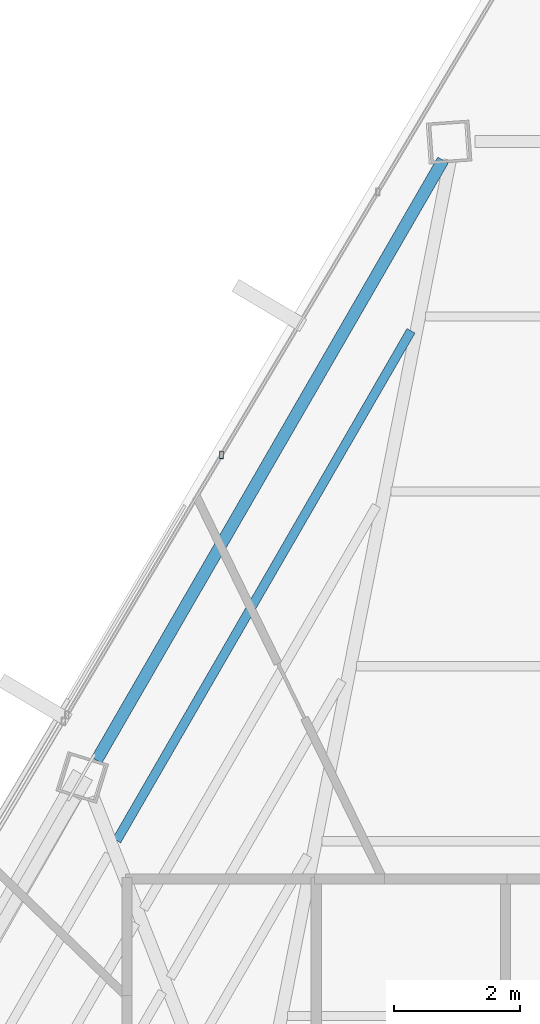
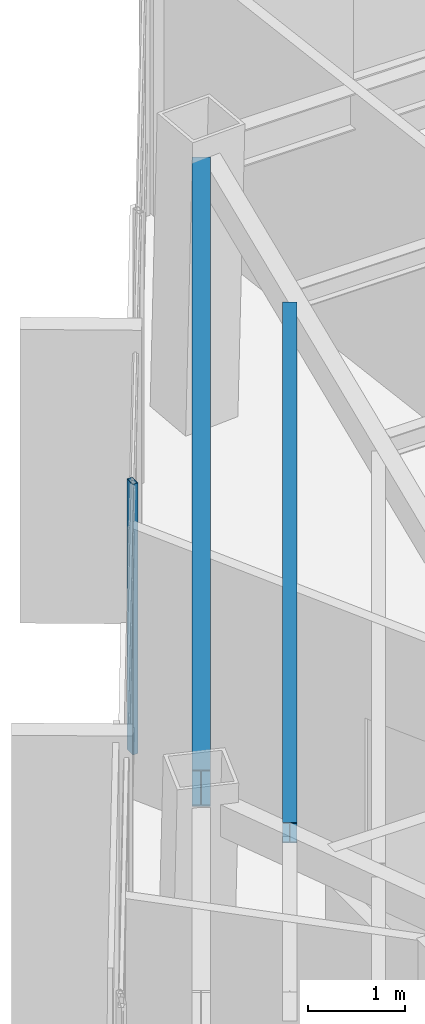
# One storey, part 31 of 46: 2 beams, 1 member, 1 element without a shape of its own.
"""IFC4 building model written with IfcOpenShell, lengths in metres."""

import ifcopenshell
import ifcopenshell.guid

model = None  # the IFC model being written
_history = None  # IfcOwnerHistory: only IFC2X3 demands one
_inside = {}  # id of a spatial element -> (the spatial element, [elements in it])
_under = {}  # id of a project, library or spatial element -> (it, [spatial elements below it])
_declared = {}  # id of a project -> (the project, [libraries it declares])
_typed = {}  # id of a type object -> (the type object, [elements of that type])
_made_of = {}  # id of a material, layer set ... -> (it, [elements and type objects made of it])


def new_model(schema):
    """Start an empty IFC model of exactly this schema.

    Asked for "IFC4X3", IfcOpenShell would pick the latest addendum, in which some entities
    have other attributes; the version numbers below select the first issue.
    IFC2X3 requires an IfcOwnerHistory on every rooted entity: one is made here for all.
    """
    global model, _history
    if schema == "IFC4X3":
        model = ifcopenshell.file(schema_version=(4, 3, 0, 0))
    else:
        model = ifcopenshell.file(schema=schema)
    _inside.clear()
    _under.clear()
    _declared.clear()
    _typed.clear()
    _made_of.clear()
    _history = None
    if model.schema == "IFC2X3":
        org = make("IfcOrganization", Name="unknown")
        user = make(
            "IfcPersonAndOrganization",
            ThePerson=make("IfcPerson", FamilyName="unknown"),
            TheOrganization=org,
        )
        app = make(
            "IfcApplication",
            ApplicationDeveloper=org,
            Version="unknown",
            ApplicationFullName="unknown",
            ApplicationIdentifier="unknown",
        )
        _history = make(
            "IfcOwnerHistory",
            OwningUser=user,
            OwningApplication=app,
            ChangeAction="ADDED",
            CreationDate=0,
        )
    return model


def make(cls, **values):
    """One entity of the class cls with the attributes given. An attribute that is None is left unset."""
    return model.create_entity(
        cls, **{name: value for name, value in values.items() if value is not None}
    )


def rooted(cls, **values):
    """An entity with a GlobalId (a new one), such as an element, a storey or a relation."""
    return make(cls, GlobalId=ifcopenshell.guid.new(), OwnerHistory=_history, **values)


def si_unit(unit_type, name, prefix=None):
    """IfcSIUnit, for example si_unit("LENGTHUNIT", "METRE", prefix="MILLI")."""
    return make("IfcSIUnit", UnitType=unit_type, Prefix=prefix, Name=name)


def assignment(units):
    """IfcUnitAssignment: the units of a project."""
    return None if units is None else make("IfcUnitAssignment", Units=units)


def point(xyz):
    """IfcCartesianPoint."""
    return None if xyz is None else make("IfcCartesianPoint", Coordinates=xyz)


def direction(xyz):
    """IfcDirection."""
    return None if xyz is None else make("IfcDirection", DirectionRatios=xyz)


def frame(location, z_axis=None, x_axis=None):
    """IfcAxis2Placement3D, a coordinate frame: its origin and axes. An axis left out is left unset."""
    return make(
        "IfcAxis2Placement3D",
        Location=point(location),
        Axis=direction(z_axis),
        RefDirection=direction(x_axis),
    )


def frame_2d(location, x_axis=None):
    """IfcAxis2Placement2D, a coordinate frame in the plane: its origin and x axis."""
    return make(
        "IfcAxis2Placement2D", Location=point(location), RefDirection=direction(x_axis)
    )


def origin():
    """The frame at (0, 0, 0) with its axes left unset."""
    return frame((0.0, 0.0, 0.0))


def origin_2d():
    """The frame at (0, 0) in the plane with its x axis left unset."""
    return frame_2d((0.0, 0.0))


def place(relative_to, where):
    """IfcLocalPlacement: puts the frame where relative to a parent placement (None: the world)."""
    return make(
        "IfcLocalPlacement", PlacementRelTo=relative_to, RelativePlacement=where
    )


def context(
    kind, dimensions, precision=None, world=None, true_north=None, identifier=None
):
    """IfcGeometricRepresentationContext, for example the 3D "Model" context."""
    return make(
        "IfcGeometricRepresentationContext",
        ContextIdentifier=identifier,
        ContextType=kind,
        CoordinateSpaceDimension=dimensions,
        Precision=precision,
        WorldCoordinateSystem=world,
        TrueNorth=true_north,
    )


def subcontext(parent, identifier, kind, view, scale=None):
    """IfcGeometricRepresentationSubContext, for example "Body" below "Model"."""
    return make(
        "IfcGeometricRepresentationSubContext",
        ContextIdentifier=identifier,
        ContextType=kind,
        ParentContext=parent,
        TargetScale=scale,
        TargetView=view,
    )


def project(units=None, contexts=None):
    """IfcProject with its units and contexts."""
    return rooted(
        "IfcProject",
        Name="project",
        RepresentationContexts=contexts,
        UnitsInContext=assignment(units),
    )


def spatial(cls, under=None, at=None, **own):
    """A site, building, storey or space (cls), placed at a placement, below another one or the project."""
    s = rooted(cls, ObjectPlacement=at, **own)
    if under is not None:
        _under.setdefault(under.id(), (under, []))[1].append(s)
    return s


def profile(cls, at=None, kind="AREA", **sizes):
    """A parametric profile (cls). Its sizes go by their IFC names, for example OverallWidth=200.0."""
    return make(cls, ProfileType=kind, Position=at, **sizes)


def hollow_rectangle(**sizes):
    """IfcRectangleHollowProfileDef."""
    return profile("IfcRectangleHollowProfileDef", **sizes)


def i_section(**sizes):
    """IfcIShapeProfileDef."""
    return profile("IfcIShapeProfileDef", **sizes)


def extrude(swept, where, along, depth):
    """IfcExtrudedAreaSolid: the profile swept, set in the frame where, extruded along a direction by depth."""
    return make(
        "IfcExtrudedAreaSolid",
        SweptArea=swept,
        Position=where,
        ExtrudedDirection=direction(along),
        Depth=depth,
    )


def shape(context_of_items, identifier, shape_type, items):
    """IfcShapeRepresentation: the items that make up one representation, for example the "Body"."""
    return make(
        "IfcShapeRepresentation",
        ContextOfItems=context_of_items,
        RepresentationIdentifier=identifier,
        RepresentationType=shape_type,
        Items=items,
    )


def source(mapping_origin, context_of_items, identifier, shape_type, items):
    """IfcRepresentationMap: a shape defined once, which mapped items show again and again."""
    return make(
        "IfcRepresentationMap",
        MappingOrigin=mapping_origin,
        MappedRepresentation=shape(context_of_items, identifier, shape_type, items),
    )


def transform(
    local_origin,
    x_axis=None,
    y_axis=None,
    z_axis=None,
    scale=None,
    scale2=None,
    scale3=None,
    uniform=True,
):
    """IfcCartesianTransformationOperator3D, or its non-uniform kind. x_axis, y_axis, z_axis: its Axis1, 2, 3."""
    if uniform:
        return make(
            "IfcCartesianTransformationOperator3D",
            Axis1=direction(x_axis),
            Axis2=direction(y_axis),
            LocalOrigin=point(local_origin),
            Scale=scale,
            Axis3=direction(z_axis),
        )
    return make(
        "IfcCartesianTransformationOperator3DnonUniform",
        Axis1=direction(x_axis),
        Axis2=direction(y_axis),
        LocalOrigin=point(local_origin),
        Scale=scale,
        Axis3=direction(z_axis),
        Scale2=scale2,
        Scale3=scale3,
    )


def mapped(mapping_source, mapping_target):
    """IfcMappedItem: shows the shape of a source again, moved by a transform."""
    return make(
        "IfcMappedItem", MappingSource=mapping_source, MappingTarget=mapping_target
    )


def material(Name=None, Category=None):
    """IfcMaterial."""
    return make("IfcMaterial", Name=Name, Category=Category)


def material_profile(
    of_material, cross_section, Name=None, Category=None, Priority=None
):
    """IfcMaterialProfile: a cross section and its material."""
    return make(
        "IfcMaterialProfile",
        Name=Name,
        Material=of_material,
        Profile=cross_section,
        Priority=Priority,
        Category=Category,
    )


def profile_set(profiles, Name=None, composite=None):
    """IfcMaterialProfileSet."""
    return make(
        "IfcMaterialProfileSet",
        Name=Name,
        MaterialProfiles=profiles,
        CompositeProfile=composite,
    )


def made_of(thing, what):
    """Note that an element or type object is made of a material, layer set ...; save() writes the relation."""
    if what is not None:
        _made_of.setdefault(what.id(), (what, []))[1].append(thing)
    return thing


def type_object(cls, material=None, **own):
    """A type object (cls), such as IfcWallType, which elements share."""
    return made_of(rooted(cls, **own), material)


def type_shapes(of_type, sources):
    """Give a type object the sources (RepresentationMaps) that its elements show as mapped items."""
    of_type.RepresentationMaps = sources


def element(
    cls,
    number,
    at=None,
    inside=None,
    cuts=None,
    type_object=None,
    material=None,
    context=None,
    identifier="Body",
    shape_type=None,
    held_by="IfcProductDefinitionShape",
    body=None,
    shapes=None,
    **own,
):
    """One element of the class cls, such as IfcWall. Its Tag is "e" and its number.

    at: its placement. inside: the storey or other place that contains it. cuts: it is an
    opening in that element (IfcRelVoidsElement). A single representation is given by context,
    identifier, shape_type and body (its items); several are given by shapes. held_by: the class
    of the entity that holds the representations. save() writes the other relations.
    """
    e = rooted(cls, Tag="e%d" % number, ObjectPlacement=at, **own)
    if body is not None:
        shapes = [shape(context, identifier, shape_type, body)]
    if shapes is not None:
        e.Representation = make(held_by, Representations=shapes)
    if inside is not None:
        _inside.setdefault(inside.id(), (inside, []))[1].append(e)
    if cuts is not None:
        rooted(
            "IfcRelVoidsElement", RelatingBuildingElement=cuts, RelatedOpeningElement=e
        )
    if type_object is not None:
        _typed.setdefault(type_object.id(), (type_object, []))[1].append(e)
    return made_of(e, material)


def aggregate(whole, parts):
    """IfcRelAggregates: a whole, such as a stair, and the parts it consists of."""
    return rooted("IfcRelAggregates", RelatingObject=whole, RelatedObjects=parts)


def save(model, path):
    """Write the relations noted so far, then the file.

    IfcRelAggregates (storeys below a building ...), IfcRelContainedInSpatialStructure (elements
    in a storey), IfcRelDefinesByType, IfcRelAssociatesMaterial and IfcRelDeclares: one each for
    every whole, place, type object, material and project.
    """
    for whole, parts in _under.values():
        aggregate(whole, parts)
    for where, things in _inside.values():
        rooted(
            "IfcRelContainedInSpatialStructure",
            RelatedElements=things,
            RelatingStructure=where,
        )
    for kind, things in _typed.values():
        rooted("IfcRelDefinesByType", RelatedObjects=things, RelatingType=kind)
    for what, things in _made_of.values():
        rooted("IfcRelAssociatesMaterial", RelatedObjects=things, RelatingMaterial=what)
    for by, libraries in _declared.values():
        rooted("IfcRelDeclares", RelatingContext=by, RelatedDefinitions=libraries)
    model.write(path)


model = new_model("IFC4")

# Units and contexts
model_context = context("Model", 3, precision=1e-05, world=origin(), true_north=direction((0.0, 1.0)))
body_context = subcontext(model_context, "Body", "Model", "MODEL_VIEW")
ifc_project = project(units=[si_unit("LENGTHUNIT", "METRE"), si_unit("AREAUNIT", "SQUARE_METRE"), si_unit("VOLUMEUNIT", "CUBIC_METRE"), si_unit("PLANEANGLEUNIT", "RADIAN"), si_unit("MASSUNIT", "GRAM", prefix="KILO")], contexts=[model_context])

# Site, building, storey
site_placement = place(None, origin())
site = spatial("IfcSite", under=ifc_project, at=site_placement, CompositionType="ELEMENT")
building_placement = place(site_placement, origin())
building = spatial("IfcBuilding", under=site, at=building_placement, Name="Caelisora Broadcast Tower", CompositionType="ELEMENT")
storey_placement = place(building_placement, frame((0.0, 0.0, 237.14990234375)))
storey = spatial("IfcBuildingStorey", under=building, at=storey_placement, Name="L62", CompositionType="ELEMENT", Elevation=237.14990234375)

# Beams
ifc_material_1 = material(Name="Steel Grade 350 (AS/NZS 3679.1)", Category="steel")
ifc_material_profile_1 = material_profile(ifc_material_1, i_section(OverallWidth=0.19091796875, OverallDepth=0.46044921875, WebThickness=0.010009765625, FlangeThickness=0.01611328125, at=origin_2d()), Name="Steel Grade 350 (AS/NZS 3679.1)")
ifc_profile_set_1 = profile_set([ifc_material_profile_1], Name="Steel Grade 350 (AS/NZS 3679.1)")
beam_type_1 = type_object("IfcBeamType", Name="PG06", PredefinedType="BEAM", material=ifc_profile_set_1)
shared_shape_1 = source(origin(), body_context, "Body", "SweptSolid", [
    extrude(i_section(OverallWidth=0.19091796875, OverallDepth=0.46044921875, WebThickness=0.010009765625, FlangeThickness=0.01611328125, at=origin_2d()), origin(), (0.0, 0.0, 1.0), 10.993408203125),
])
type_shapes(beam_type_1, [shared_shape_1])
beam_1_placement = place(storey_placement, frame((33.6123046875, 46.3544921875, 3.169921875), z_axis=(-0.499994152074, -0.86602878006, 0.0), x_axis=(0.86602878006, -0.499994152074, 0.0)))
element("IfcBeam", 1, at=beam_1_placement, inside=storey, type_object=beam_type_1, Name="L62 beam PG06", PredefinedType="BEAM", context=body_context, shape_type="MappedRepresentation", body=[
    mapped(shared_shape_1, transform((0.0, 0.0, 0.0), scale=1.0)),
])
ifc_material_profile_2 = material_profile(ifc_material_1, i_section(OverallWidth=0.14599609375, OverallDepth=0.256103515625, WebThickness=0.00634765625, FlangeThickness=0.010986328125, at=origin_2d()), Name="Steel Grade 350 (AS/NZS 3679.1)")
ifc_profile_set_2 = profile_set([ifc_material_profile_2], Name="Steel Grade 350 (AS/NZS 3679.1)")
beam_type_2 = type_object("IfcBeamType", Name="SB04", PredefinedType="JOIST", material=ifc_profile_set_2)
shared_shape_2 = source(origin(), body_context, "Body", "SweptSolid", [
    extrude(i_section(OverallWidth=0.14599609375, OverallDepth=0.256103515625, WebThickness=0.00634765625, FlangeThickness=0.010986328125, at=origin_2d()), origin(), (0.0, 0.0, 1.0), 9.3388671875),
])
type_shapes(beam_type_2, [shared_shape_2])
beam_2_placement = place(storey_placement, frame((33.1044921875, 43.647216796875, 3.27197265625), z_axis=(-0.500021912873, -0.866012752012, 0.0), x_axis=(0.866012752012, -0.500021912873, 0.0)))
element("IfcBeam", 2, at=beam_2_placement, inside=storey, type_object=beam_type_2, Name="L62 beam SB04", PredefinedType="JOIST", context=body_context, shape_type="MappedRepresentation", body=[
    mapped(shared_shape_2, transform((0.0, 0.0, 0.0), scale=1.0)),
])

# Curtain wall, member
ifc_material_2 = material(Name="Unitised Aluminium and Low-E Glass Curtain Wall", Category="glass")
curtain_wall_type = type_object("IfcCurtainWallType", Name="CW-Z5", PredefinedType="NOTDEFINED", material=ifc_material_2)
curtain_wall_placement = place(storey_placement, origin())
curtain_wall = element("IfcCurtainWall", 3, at=curtain_wall_placement, inside=storey, type_object=curtain_wall_type, Name="L62 curtain wall CW-Z5", PredefinedType="NOTDEFINED")
ifc_material_3 = material(Name="Aluminium 6063-T6 Anodised Terracotta Bronze", Category="aluminium")
ifc_material_profile_3 = material_profile(ifc_material_3, hollow_rectangle(XDim=0.06005859375, YDim=0.1201171875, WallThickness=0.0029296875, at=origin_2d()), Name="Aluminium 6063-T6 Anodised Terracotta Bronze")
ifc_profile_set_3 = profile_set([ifc_material_profile_3], Name="Aluminium 6063-T6 Anodised Terracotta Bronze")
member_type = type_object("IfcMemberType", Name="CWM-04", PredefinedType="MULLION", material=ifc_profile_set_3)
shared_shape_3 = source(origin(), body_context, "Body", "SweptSolid", [
    extrude(hollow_rectangle(XDim=0.06005859375, YDim=0.1201171875, WallThickness=0.0029296875, at=origin_2d()), origin(), (0.0, 0.0, 1.0), 3.400146484375),
])
type_shapes(member_type, [shared_shape_3])
member_placement = place(storey_placement, frame((30.0986328125, 41.67919921875, 0.0), z_axis=(0.0, 0.0, 1.0), x_axis=(1.0, 0.0, 0.0)))
member = element("IfcMember", 4, at=member_placement, type_object=member_type, Name="L62-CW-B11 mullion #1", PredefinedType="MULLION", context=body_context, shape_type="MappedRepresentation", body=[
    mapped(shared_shape_3, transform((0.0, 0.0, 0.0), scale=1.0)),
])
aggregate(curtain_wall, [member])

save(model, "model.ifc")
